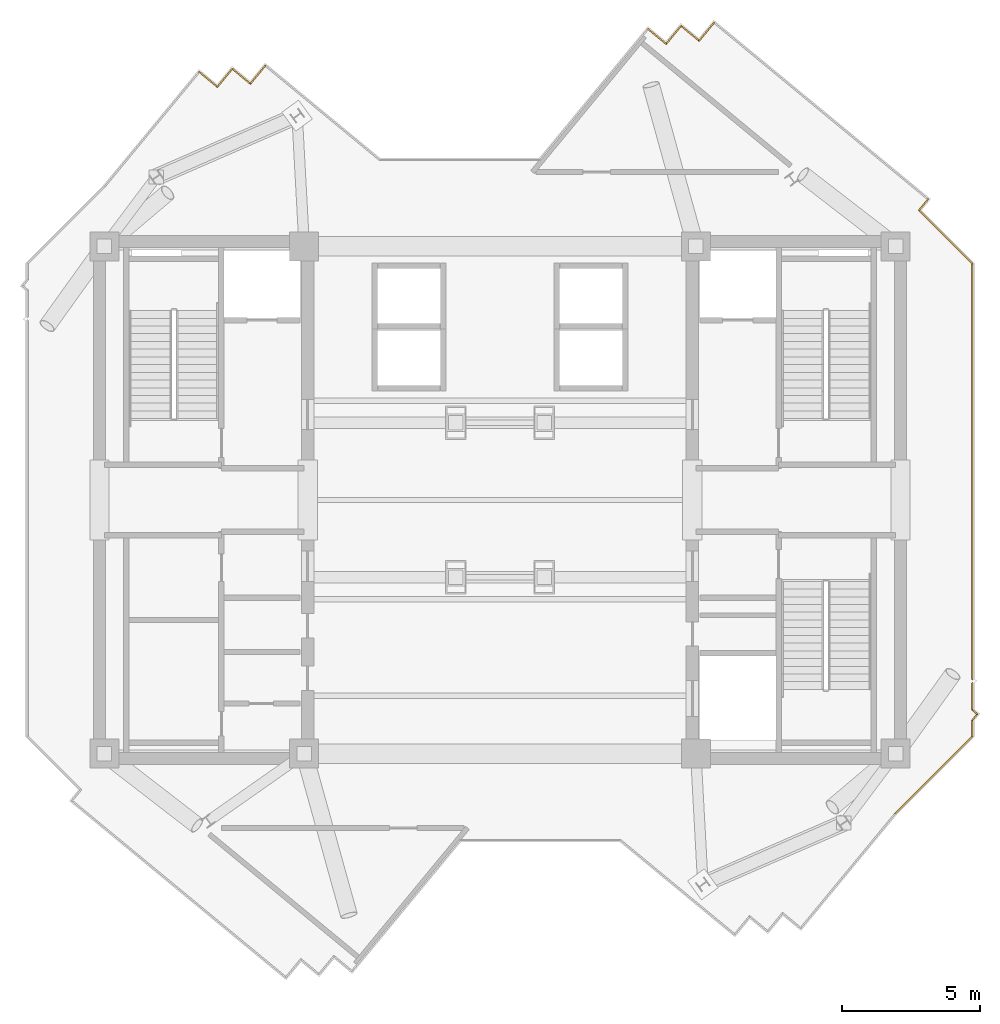
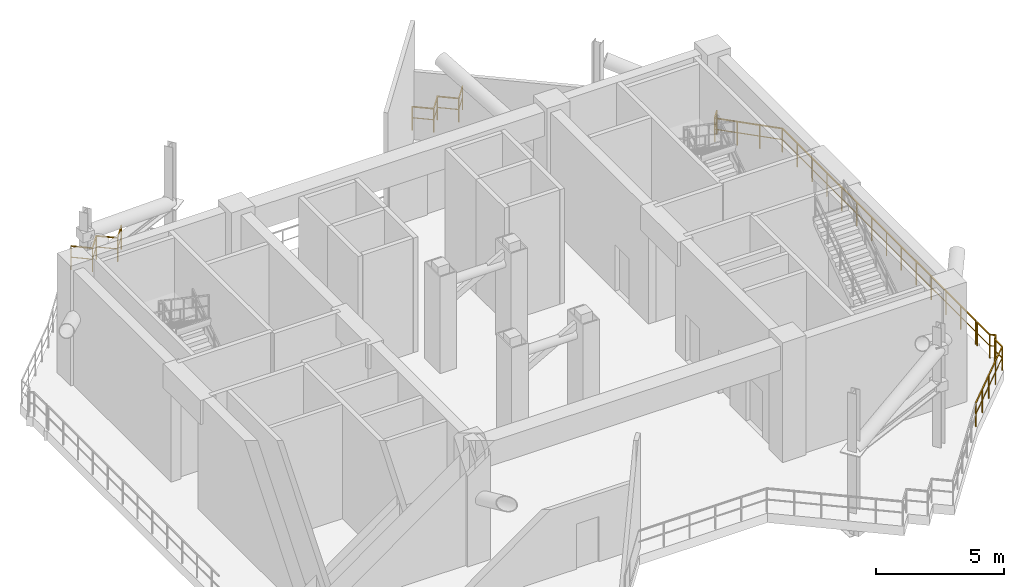
# One storey, part 7 of 7: 16 railings.
"""IFC4 building model written with IfcOpenShell, lengths in metres."""

from ifc_helpers import new_model, si_unit, direction, frame, origin, origin_2d, place, context, subcontext, project, spatial, rectangle, extrude, material, type_object, element, save


model = new_model("IFC4")

# Units and contexts
model_context = context("Model", 3, precision=1e-05, world=origin(), true_north=direction((0.0, 1.0)))
body_context = subcontext(model_context, "Body", "Model", "MODEL_VIEW")
ifc_project = project(units=[si_unit("LENGTHUNIT", "METRE"), si_unit("AREAUNIT", "SQUARE_METRE"), si_unit("VOLUMEUNIT", "CUBIC_METRE"), si_unit("PLANEANGLEUNIT", "RADIAN"), si_unit("MASSUNIT", "GRAM", prefix="KILO")], contexts=[model_context])

# Site, building, storey
site_placement = place(None, origin())
site = spatial("IfcSite", under=ifc_project, at=site_placement, CompositionType="ELEMENT")
building_placement = place(site_placement, origin())
building = spatial("IfcBuilding", under=site, at=building_placement, Name="Zahravan Cultural Tower", CompositionType="ELEMENT")
storey_placement = place(building_placement, frame((0.0, 0.0, 314.10009765625)))
storey = spatial("IfcBuildingStorey", under=building, at=storey_placement, Name="L76", CompositionType="ELEMENT", Elevation=314.10009765625)

# Railings
ifc_material = material(Name="Steel ASTM A572 Grade 50", Category="steel")
railing_type = type_object("IfcRailingType", Name="RL-BAL-1150", PredefinedType="BALUSTRADE", material=ifc_material)
railing_1_placement = place(storey_placement, frame((41.369384765625, 44.0791015625, 0.0)))
element("IfcRailing", 1, at=railing_1_placement, inside=storey, type_object=railing_type, Name="L76 Edge Balustrade GRD-L76-SLOT-02", PredefinedType="BALUSTRADE", context=body_context, shape_type="SweptSolid", body=[
    extrude(rectangle(XDim=0.05, YDim=0.05, at=origin_2d()), frame((0.0, 0.0, 1.125), z_axis=(0.771108876301, -0.6367033068, 0.0), x_axis=(0.6367033068, 0.771108876301, 0.0)), (0.0, 0.0, 1.0), 0.85009765625),
    extrude(rectangle(XDim=0.032, YDim=0.032, at=origin_2d()), frame((0.0, 0.0, 0.597900390625), z_axis=(0.771108876301, -0.6367033068, 0.0), x_axis=(0.6367033068, 0.771108876301, 0.0)), (0.0, 0.0, 1.0), 0.85009765625),
    extrude(rectangle(XDim=0.04, YDim=0.04, at=origin_2d()), origin(), (0.0, 0.0, 1.0), 1.14990234375),
    extrude(rectangle(XDim=0.04, YDim=0.04, at=origin_2d()), frame((0.655517578125, -0.541259765625, 0.0)), (0.0, 0.0, 1.0), 1.14990234375),
])
railing_2_placement = place(storey_placement, frame((42.02490234375, 43.537841796875, 0.0)))
element("IfcRailing", 2, at=railing_2_placement, inside=storey, type_object=railing_type, Name="L76 Edge Balustrade GRD-L76-SLOT-03", PredefinedType="BALUSTRADE", context=body_context, shape_type="SweptSolid", body=[
    extrude(rectangle(XDim=0.05, YDim=0.05, at=origin_2d()), frame((0.0, 0.0, 1.125), z_axis=(0.63639149861, 0.771366229814, 0.0), x_axis=(-0.771366229814, 0.63639149861, 0.0)), (0.0, 0.0, 1.0), 0.85009765625),
    extrude(rectangle(XDim=0.032, YDim=0.032, at=origin_2d()), frame((0.0, 0.0, 0.597900390625), z_axis=(0.63639149861, 0.771366229814, 0.0), x_axis=(-0.771366229814, 0.63639149861, 0.0)), (0.0, 0.0, 1.0), 0.85009765625),
    extrude(rectangle(XDim=0.04, YDim=0.04, at=origin_2d()), origin(), (0.0, 0.0, 1.0), 1.14990234375),
    extrude(rectangle(XDim=0.04, YDim=0.04, at=origin_2d()), frame((0.541015625, 0.65576171875, 0.0)), (0.0, 0.0, 1.0), 1.14990234375),
])
railing_3_placement = place(storey_placement, frame((42.56591796875, 44.193603515625, 0.0)))
element("IfcRailing", 3, at=railing_3_placement, inside=storey, type_object=railing_type, Name="L76 Edge Balustrade GRD-L76-SLOT-04", PredefinedType="BALUSTRADE", context=body_context, shape_type="SweptSolid", body=[
    extrude(rectangle(XDim=0.05, YDim=0.05, at=origin_2d()), frame((0.0, 0.0, 1.125), z_axis=(0.771366229814, -0.63639149861, 0.0), x_axis=(0.63639149861, 0.771366229814, 0.0)), (0.0, 0.0, 1.0), 0.85009765625),
    extrude(rectangle(XDim=0.032, YDim=0.032, at=origin_2d()), frame((0.0, 0.0, 0.597900390625), z_axis=(0.771366229814, -0.63639149861, 0.0), x_axis=(0.63639149861, 0.771366229814, 0.0)), (0.0, 0.0, 1.0), 0.85009765625),
    extrude(rectangle(XDim=0.04, YDim=0.04, at=origin_2d()), origin(), (0.0, 0.0, 1.0), 1.14990234375),
    extrude(rectangle(XDim=0.04, YDim=0.04, at=origin_2d()), frame((0.65576171875, -0.541015625, 0.0)), (0.0, 0.0, 1.0), 1.14990234375),
])
railing_4_placement = place(storey_placement, frame((43.2216796875, 43.652587890625, 0.0)))
element("IfcRailing", 4, at=railing_4_placement, inside=storey, type_object=railing_type, Name="L76 Edge Balustrade GRD-L76-SLOT-05", PredefinedType="BALUSTRADE", context=body_context, shape_type="SweptSolid", body=[
    extrude(rectangle(XDim=0.05, YDim=0.05, at=origin_2d()), frame((0.0, 0.0, 1.125), z_axis=(0.6365324934, 0.771249884828, 0.0), x_axis=(-0.771249884828, 0.6365324934, 0.0)), (0.0, 0.0, 1.0), 0.849853515625),
    extrude(rectangle(XDim=0.032, YDim=0.032, at=origin_2d()), frame((0.0, 0.0, 0.597900390625), z_axis=(0.6365324934, 0.771249884828, 0.0), x_axis=(-0.771249884828, 0.6365324934, 0.0)), (0.0, 0.0, 1.0), 0.849853515625),
    extrude(rectangle(XDim=0.04, YDim=0.04, at=origin_2d()), origin(), (0.0, 0.0, 1.0), 1.14990234375),
    extrude(rectangle(XDim=0.04, YDim=0.04, at=origin_2d()), frame((0.541015625, 0.655517578125, 0.0)), (0.0, 0.0, 1.0), 1.14990234375),
])
railing_5_placement = place(storey_placement, frame((51.521484375, 37.904541015625, 0.0)))
element("IfcRailing", 5, at=railing_5_placement, inside=storey, type_object=railing_type, Name="L76 Edge Balustrade GRD-L76-SLOT-07", PredefinedType="BALUSTRADE", context=body_context, shape_type="SweptSolid", body=[
    extrude(rectangle(XDim=0.05, YDim=0.05, at=origin_2d()), frame((0.0, 0.0, 1.125), z_axis=(-0.636587411676, -0.771204556066, 0.0), x_axis=(0.771204556066, -0.636587411676, 0.0)), (0.0, 0.0, 1.0), 0.51513671875),
    extrude(rectangle(XDim=0.032, YDim=0.032, at=origin_2d()), frame((0.0, 0.0, 0.597900390625), z_axis=(-0.636587411676, -0.771204556066, 0.0), x_axis=(0.771204556066, -0.636587411676, 0.0)), (0.0, 0.0, 1.0), 0.51513671875),
    extrude(rectangle(XDim=0.04, YDim=0.04, at=origin_2d()), origin(), (0.0, 0.0, 1.0), 1.14990234375),
    extrude(rectangle(XDim=0.04, YDim=0.04, at=origin_2d()), frame((-0.327880859375, -0.397216796875, 0.0)), (0.0, 0.0, 1.0), 1.14990234375),
])
railing_6_placement = place(storey_placement, frame((51.193603515625, 37.50732421875, 0.0)))
element("IfcRailing", 6, at=railing_6_placement, inside=storey, type_object=railing_type, Name="L76 Edge Balustrade GRD-L76-SLOT-08", PredefinedType="BALUSTRADE", context=body_context, shape_type="SweptSolid", body=[
    extrude(rectangle(XDim=0.05, YDim=0.05, at=origin_2d()), frame((0.0, 0.0, 1.125), z_axis=(0.707106781187, -0.707106781187, 0.0), x_axis=(0.707106781187, 0.707106781187, 0.0)), (0.0, 0.0, 1.0), 2.73828125),
    extrude(rectangle(XDim=0.032, YDim=0.032, at=origin_2d()), frame((0.0, 0.0, 0.597900390625), z_axis=(0.707106781187, -0.707106781187, 0.0), x_axis=(0.707106781187, 0.707106781187, 0.0)), (0.0, 0.0, 1.0), 2.73828125),
    extrude(rectangle(XDim=0.04, YDim=0.04, at=origin_2d()), origin(), (0.0, 0.0, 1.0), 1.14990234375),
    extrude(rectangle(XDim=0.04, YDim=0.04, at=origin_2d()), frame((0.6455078125, -0.6455078125, 0.0)), (0.0, 0.0, 1.0), 1.14990234375),
    extrude(rectangle(XDim=0.04, YDim=0.04, at=origin_2d()), frame((1.290771484375, -1.290771484375, 0.0)), (0.0, 0.0, 1.0), 1.14990234375),
    extrude(rectangle(XDim=0.04, YDim=0.04, at=origin_2d()), frame((1.936279296875, -1.936279296875, 0.0)), (0.0, 0.0, 1.0), 1.14990234375),
])
railing_7_placement = place(storey_placement, frame((53.1298828125, 35.571044921875, 0.0)))
element("IfcRailing", 7, at=railing_7_placement, inside=storey, type_object=railing_type, Name="L76 Edge Balustrade GRD-L76-SLOT-09", PredefinedType="BALUSTRADE", context=body_context, shape_type="SweptSolid", body=[
    extrude(rectangle(XDim=0.05, YDim=0.05, at=origin_2d()), frame((0.0, 0.0, 1.125), z_axis=(0.0, -1.0, 0.0), x_axis=(1.0, 0.0, 0.0)), (0.0, 0.0, 1.0), 15.084716796875),
    extrude(rectangle(XDim=0.032, YDim=0.032, at=origin_2d()), frame((0.0, 0.0, 0.597900390625), z_axis=(0.0, -1.0, 0.0), x_axis=(1.0, 0.0, 0.0)), (0.0, 0.0, 1.0), 15.084716796875),
    extrude(rectangle(XDim=0.04, YDim=0.04, at=origin_2d()), origin(), (0.0, 0.0, 1.0), 1.14990234375),
    extrude(rectangle(XDim=0.04, YDim=0.04, at=origin_2d()), frame((0.0, -1.160400390625, 0.0)), (0.0, 0.0, 1.0), 1.14990234375),
    extrude(rectangle(XDim=0.04, YDim=0.04, at=origin_2d()), frame((0.0, -2.32080078125, 0.0)), (0.0, 0.0, 1.0), 1.14990234375),
    extrude(rectangle(XDim=0.04, YDim=0.04, at=origin_2d()), frame((0.0, -3.481201171875, 0.0)), (0.0, 0.0, 1.0), 1.14990234375),
    extrude(rectangle(XDim=0.04, YDim=0.04, at=origin_2d()), frame((0.0, -4.641357421875, 0.0)), (0.0, 0.0, 1.0), 1.14990234375),
    extrude(rectangle(XDim=0.04, YDim=0.04, at=origin_2d()), frame((0.0, -5.8017578125, 0.0)), (0.0, 0.0, 1.0), 1.14990234375),
    extrude(rectangle(XDim=0.04, YDim=0.04, at=origin_2d()), frame((0.0, -6.962158203125, 0.0)), (0.0, 0.0, 1.0), 1.14990234375),
    extrude(rectangle(XDim=0.04, YDim=0.04, at=origin_2d()), frame((0.0, -8.12255859375, 0.0)), (0.0, 0.0, 1.0), 1.14990234375),
    extrude(rectangle(XDim=0.04, YDim=0.04, at=origin_2d()), frame((0.0, -9.282958984375, 0.0)), (0.0, 0.0, 1.0), 1.14990234375),
    extrude(rectangle(XDim=0.04, YDim=0.04, at=origin_2d()), frame((0.0, -10.443359375, 0.0)), (0.0, 0.0, 1.0), 1.14990234375),
    extrude(rectangle(XDim=0.04, YDim=0.04, at=origin_2d()), frame((0.0, -11.603515625, 0.0)), (0.0, 0.0, 1.0), 1.14990234375),
    extrude(rectangle(XDim=0.04, YDim=0.04, at=origin_2d()), frame((0.0, -12.763916015625, 0.0)), (0.0, 0.0, 1.0), 1.14990234375),
    extrude(rectangle(XDim=0.04, YDim=0.04, at=origin_2d()), frame((0.0, -13.92431640625, 0.0)), (0.0, 0.0, 1.0), 1.14990234375),
    extrude(rectangle(XDim=0.04, YDim=0.04, at=origin_2d()), frame((0.0, -15.084716796875, 0.0)), (0.0, 0.0, 1.0), 1.14990234375),
])
railing_8_placement = place(storey_placement, frame((53.1298828125, 20.357177734375, 0.0)))
element("IfcRailing", 8, at=railing_8_placement, inside=storey, type_object=railing_type, Name="L76 Edge Balustrade GRD-L76-SLOT-10", PredefinedType="BALUSTRADE", context=body_context, shape_type="SweptSolid", body=[
    extrude(rectangle(XDim=0.05, YDim=0.05, at=origin_2d()), frame((0.0, 0.0, 1.125), z_axis=(0.0, -1.0, 0.0), x_axis=(1.0, 0.0, 0.0)), (0.0, 0.0, 1.0), 0.972900390625),
    extrude(rectangle(XDim=0.032, YDim=0.032, at=origin_2d()), frame((0.0, 0.0, 0.597900390625), z_axis=(0.0, -1.0, 0.0), x_axis=(1.0, 0.0, 0.0)), (0.0, 0.0, 1.0), 0.972900390625),
    extrude(rectangle(XDim=0.04, YDim=0.04, at=origin_2d()), origin(), (0.0, 0.0, 1.0), 1.14990234375),
    extrude(rectangle(XDim=0.04, YDim=0.04, at=origin_2d()), frame((0.0, -0.972900390625, 0.0)), (0.0, 0.0, 1.0), 1.14990234375),
])
railing_9_placement = place(storey_placement, frame((53.1298828125, 19.38427734375, 0.0)))
element("IfcRailing", 9, at=railing_9_placement, inside=storey, type_object=railing_type, Name="L76 Edge Balustrade GRD-L76-SLOT-11", PredefinedType="BALUSTRADE", context=body_context, shape_type="SweptSolid", body=[
    extrude(rectangle(XDim=0.05, YDim=0.05, at=origin_2d()), frame((0.0, 0.0, 1.125), z_axis=(0.771502961892, -0.636225730218, 0.0), x_axis=(0.636225730218, 0.771502961892, 0.0)), (0.0, 0.0, 1.0), 0.23095703125),
    extrude(rectangle(XDim=0.032, YDim=0.032, at=origin_2d()), frame((0.0, 0.0, 0.597900390625), z_axis=(0.771502961892, -0.636225730218, 0.0), x_axis=(0.636225730218, 0.771502961892, 0.0)), (0.0, 0.0, 1.0), 0.23095703125),
    extrude(rectangle(XDim=0.04, YDim=0.04, at=origin_2d()), origin(), (0.0, 0.0, 1.0), 1.14990234375),
    extrude(rectangle(XDim=0.04, YDim=0.04, at=origin_2d()), frame((0.17822265625, -0.14697265625, 0.0)), (0.0, 0.0, 1.0), 1.14990234375),
])
railing_10_placement = place(storey_placement, frame((53.30810546875, 19.2373046875, 0.0)))
element("IfcRailing", 10, at=railing_10_placement, inside=storey, type_object=railing_type, Name="L76 Edge Balustrade GRD-L76-SLOT-12", PredefinedType="BALUSTRADE", context=body_context, shape_type="SweptSolid", body=[
    extrude(rectangle(XDim=0.05, YDim=0.05, at=origin_2d()), frame((0.0, 0.0, 1.125), z_axis=(-0.637174636601, -0.770719457697, 0.0), x_axis=(0.770719457697, -0.637174636601, 0.0)), (0.0, 0.0, 1.0), 0.27978515625),
    extrude(rectangle(XDim=0.032, YDim=0.032, at=origin_2d()), frame((0.0, 0.0, 0.597900390625), z_axis=(-0.637174636601, -0.770719457697, 0.0), x_axis=(0.770719457697, -0.637174636601, 0.0)), (0.0, 0.0, 1.0), 0.27978515625),
    extrude(rectangle(XDim=0.04, YDim=0.04, at=origin_2d()), origin(), (0.0, 0.0, 1.0), 1.14990234375),
    extrude(rectangle(XDim=0.04, YDim=0.04, at=origin_2d()), frame((-0.17822265625, -0.215576171875, 0.0)), (0.0, 0.0, 1.0), 1.14990234375),
])
railing_11_placement = place(storey_placement, frame((53.1298828125, 19.021728515625, 0.0)))
element("IfcRailing", 11, at=railing_11_placement, inside=storey, type_object=railing_type, Name="L76 Edge Balustrade GRD-L76-SLOT-13", PredefinedType="BALUSTRADE", context=body_context, shape_type="SweptSolid", body=[
    extrude(rectangle(XDim=0.05, YDim=0.05, at=origin_2d()), frame((0.0, 0.0, 1.125), z_axis=(0.0, -1.0, 0.0), x_axis=(1.0, 0.0, 0.0)), (0.0, 0.0, 1.0), 0.5927734375),
    extrude(rectangle(XDim=0.032, YDim=0.032, at=origin_2d()), frame((0.0, 0.0, 0.597900390625), z_axis=(0.0, -1.0, 0.0), x_axis=(1.0, 0.0, 0.0)), (0.0, 0.0, 1.0), 0.5927734375),
    extrude(rectangle(XDim=0.04, YDim=0.04, at=origin_2d()), origin(), (0.0, 0.0, 1.0), 1.14990234375),
    extrude(rectangle(XDim=0.04, YDim=0.04, at=origin_2d()), frame((0.0, -0.5927734375, 0.0)), (0.0, 0.0, 1.0), 1.14990234375),
])
railing_12_placement = place(storey_placement, frame((53.1298828125, 18.428955078125, 0.0)))
element("IfcRailing", 12, at=railing_12_placement, inside=storey, type_object=railing_type, Name="L76 Edge Balustrade GRD-L76-SLOT-14", PredefinedType="BALUSTRADE", context=body_context, shape_type="SweptSolid", body=[
    extrude(rectangle(XDim=0.05, YDim=0.05, at=origin_2d()), frame((0.0, 0.0, 1.125), z_axis=(-0.707106781187, -0.707106781187, 0.0), x_axis=(0.707106781187, -0.707106781187, 0.0)), (0.0, 0.0, 1.0), 3.960205078125),
    extrude(rectangle(XDim=0.032, YDim=0.032, at=origin_2d()), frame((0.0, 0.0, 0.597900390625), z_axis=(-0.707106781187, -0.707106781187, 0.0), x_axis=(0.707106781187, -0.707106781187, 0.0)), (0.0, 0.0, 1.0), 3.960205078125),
    extrude(rectangle(XDim=0.04, YDim=0.04, at=origin_2d()), origin(), (0.0, 0.0, 1.0), 1.14990234375),
    extrude(rectangle(XDim=0.04, YDim=0.04, at=origin_2d()), frame((-0.7001953125, -0.7001953125, 0.0)), (0.0, 0.0, 1.0), 1.14990234375),
    extrude(rectangle(XDim=0.04, YDim=0.04, at=origin_2d()), frame((-1.400146484375, -1.400146484375, 0.0)), (0.0, 0.0, 1.0), 1.14990234375),
    extrude(rectangle(XDim=0.04, YDim=0.04, at=origin_2d()), frame((-2.10009765625, -2.10009765625, 0.0)), (0.0, 0.0, 1.0), 1.14990234375),
    extrude(rectangle(XDim=0.04, YDim=0.04, at=origin_2d()), frame((-2.80029296875, -2.80029296875, 0.0)), (0.0, 0.0, 1.0), 1.14990234375),
])
railing_13_placement = place(storey_placement, frame((25.095458984375, 42.521484375, 0.0)))
element("IfcRailing", 13, at=railing_13_placement, inside=storey, type_object=railing_type, Name="L76 Edge Balustrade GRD-L76-SLOT-37", PredefinedType="BALUSTRADE", context=body_context, shape_type="SweptSolid", body=[
    extrude(rectangle(XDim=0.05, YDim=0.05, at=origin_2d()), frame((0.0, 0.0, 1.125), z_axis=(0.771249884828, -0.6365324934, 0.0), x_axis=(0.6365324934, 0.771249884828, 0.0)), (0.0, 0.0, 1.0), 0.849853515625),
    extrude(rectangle(XDim=0.032, YDim=0.032, at=origin_2d()), frame((0.0, 0.0, 0.597900390625), z_axis=(0.771249884828, -0.6365324934, 0.0), x_axis=(0.6365324934, 0.771249884828, 0.0)), (0.0, 0.0, 1.0), 0.849853515625),
    extrude(rectangle(XDim=0.04, YDim=0.04, at=origin_2d()), origin(), (0.0, 0.0, 1.0), 1.14990234375),
    extrude(rectangle(XDim=0.04, YDim=0.04, at=origin_2d()), frame((0.655517578125, -0.541015625, 0.0)), (0.0, 0.0, 1.0), 1.14990234375),
])
railing_14_placement = place(storey_placement, frame((25.7509765625, 41.98046875, 0.0)))
element("IfcRailing", 14, at=railing_14_placement, inside=storey, type_object=railing_type, Name="L76 Edge Balustrade GRD-L76-SLOT-38", PredefinedType="BALUSTRADE", context=body_context, shape_type="SweptSolid", body=[
    extrude(rectangle(XDim=0.05, YDim=0.05, at=origin_2d()), frame((0.0, 0.0, 1.125), z_axis=(0.6365324934, 0.771249884828, 0.0), x_axis=(-0.771249884828, 0.6365324934, 0.0)), (0.0, 0.0, 1.0), 0.849853515625),
    extrude(rectangle(XDim=0.032, YDim=0.032, at=origin_2d()), frame((0.0, 0.0, 0.597900390625), z_axis=(0.6365324934, 0.771249884828, 0.0), x_axis=(-0.771249884828, 0.6365324934, 0.0)), (0.0, 0.0, 1.0), 0.849853515625),
    extrude(rectangle(XDim=0.04, YDim=0.04, at=origin_2d()), origin(), (0.0, 0.0, 1.0), 1.14990234375),
    extrude(rectangle(XDim=0.04, YDim=0.04, at=origin_2d()), frame((0.541015625, 0.655517578125, 0.0)), (0.0, 0.0, 1.0), 1.14990234375),
])
railing_15_placement = place(storey_placement, frame((26.2919921875, 42.635986328125, 0.0)))
element("IfcRailing", 15, at=railing_15_placement, inside=storey, type_object=railing_type, Name="L76 Edge Balustrade GRD-L76-SLOT-39", PredefinedType="BALUSTRADE", context=body_context, shape_type="SweptSolid", body=[
    extrude(rectangle(XDim=0.05, YDim=0.05, at=origin_2d()), frame((0.0, 0.0, 1.125), z_axis=(0.771249884828, -0.6365324934, 0.0), x_axis=(0.6365324934, 0.771249884828, 0.0)), (0.0, 0.0, 1.0), 0.849853515625),
    extrude(rectangle(XDim=0.032, YDim=0.032, at=origin_2d()), frame((0.0, 0.0, 0.597900390625), z_axis=(0.771249884828, -0.6365324934, 0.0), x_axis=(0.6365324934, 0.771249884828, 0.0)), (0.0, 0.0, 1.0), 0.849853515625),
    extrude(rectangle(XDim=0.04, YDim=0.04, at=origin_2d()), origin(), (0.0, 0.0, 1.0), 1.14990234375),
    extrude(rectangle(XDim=0.04, YDim=0.04, at=origin_2d()), frame((0.655517578125, -0.541015625, 0.0)), (0.0, 0.0, 1.0), 1.14990234375),
])
railing_16_placement = place(storey_placement, frame((26.947509765625, 42.094970703125, 0.0)))
element("IfcRailing", 16, at=railing_16_placement, inside=storey, type_object=railing_type, Name="L76 Edge Balustrade GRD-L76-SLOT-40", PredefinedType="BALUSTRADE", context=body_context, shape_type="SweptSolid", body=[
    extrude(rectangle(XDim=0.05, YDim=0.05, at=origin_2d()), frame((0.0, 0.0, 1.125), z_axis=(0.6367033068, 0.771108876301, 0.0), x_axis=(-0.771108876301, 0.6367033068, 0.0)), (0.0, 0.0, 1.0), 0.85009765625),
    extrude(rectangle(XDim=0.032, YDim=0.032, at=origin_2d()), frame((0.0, 0.0, 0.597900390625), z_axis=(0.6367033068, 0.771108876301, 0.0), x_axis=(-0.771108876301, 0.6367033068, 0.0)), (0.0, 0.0, 1.0), 0.85009765625),
    extrude(rectangle(XDim=0.04, YDim=0.04, at=origin_2d()), origin(), (0.0, 0.0, 1.0), 1.14990234375),
    extrude(rectangle(XDim=0.04, YDim=0.04, at=origin_2d()), frame((0.541259765625, 0.655517578125, 0.0)), (0.0, 0.0, 1.0), 1.14990234375),
])

save(model, "model.ifc")
